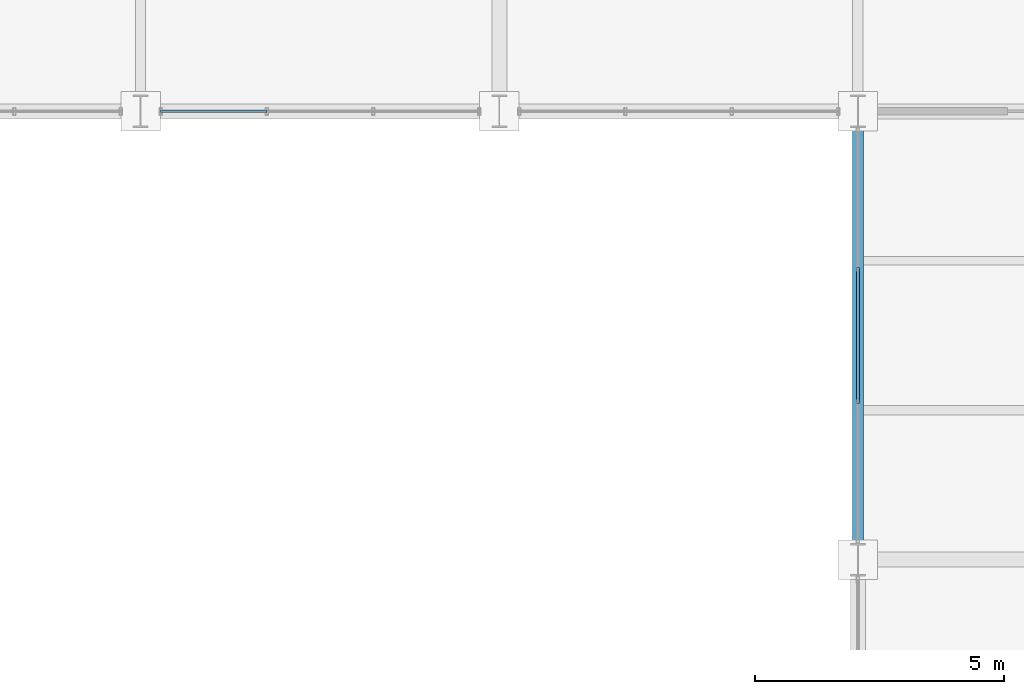
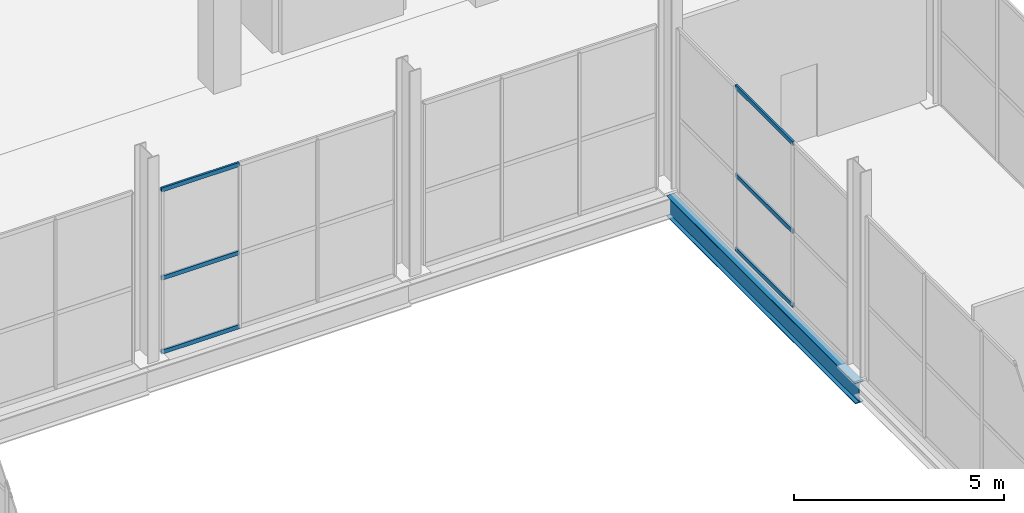
# One storey, part 93 of 144: 6 members, 1 beam, 2 elements without a shape of their own.
"""IFC4 building model written with IfcOpenShell, lengths in metres."""

from ifc_helpers import new_model, si_unit, direction, frame, origin, origin_2d, place, context, subcontext, project, spatial, hollow_rectangle, i_section, extrude, material, layer, layer_set, material_profile, profile_set, type_object, element, aggregate, save


model = new_model("IFC4")

# Units and contexts
model_context = context("Model", 3, precision=1e-05, world=origin(), true_north=direction((0.0, 1.0)))
body_context = subcontext(model_context, "Body", "Model", "MODEL_VIEW")
ifc_project = project(units=[si_unit("LENGTHUNIT", "METRE"), si_unit("AREAUNIT", "SQUARE_METRE"), si_unit("VOLUMEUNIT", "CUBIC_METRE"), si_unit("PLANEANGLEUNIT", "RADIAN"), si_unit("MASSUNIT", "GRAM", prefix="KILO")], contexts=[model_context])

# Site, building, storey
site_placement = place(None, origin())
site = spatial("IfcSite", under=ifc_project, at=site_placement, CompositionType="ELEMENT")
building_placement = place(site_placement, origin())
building = spatial("IfcBuilding", under=site, at=building_placement, Name="Sundgate Opera House", CompositionType="ELEMENT")
storey_placement = place(building_placement, origin())
storey = spatial("IfcBuildingStorey", under=building, at=storey_placement, Name="L00", CompositionType="ELEMENT", Elevation=0.0)

# Beam
ifc_material_1 = material(Name="Steel S355J2", Category="steel")
ifc_material_profile_1 = material_profile(ifc_material_1, i_section(OverallWidth=0.219970703125, OverallDepth=0.60009765625, WebThickness=0.011962890625, FlangeThickness=0.01904296875, at=origin_2d()), Name="IPE 600")
ifc_profile_set_1 = profile_set([ifc_material_profile_1], Name="Steel S355J2")
beam_type = type_object("IfcBeamType", Name="BM-GR-IPE600", PredefinedType="BEAM", material=ifc_profile_set_1)
beam_placement = place(storey_placement, frame((138.60009765625, 51.0, -0.6201171875), z_axis=(0.0, 1.0, 0.0), x_axis=(-1.0, 0.0, 0.0)))
element("IfcBeam", 1, at=beam_placement, inside=storey, type_object=beam_type, Name="L00 Primary N-S Girder B0271", PredefinedType="BEAM", context=body_context, shape_type="SweptSolid", body=[
    extrude(i_section(OverallWidth=0.219970703125, OverallDepth=0.60009765625, WebThickness=0.011962890625, FlangeThickness=0.01904296875, at=origin_2d()), origin(), (0.0, 0.0, 1.0), 9.0),
])

# Curtain wall, members
ifc_material_2 = material(Name="Anodized aluminium and low-iron glass", Category="aluminium")
ifc_layer = layer(ifc_material_2, 0.159912109375)
ifc_layer_set = layer_set([ifc_layer], Name="Anodized aluminium and low-iron glass")
curtain_wall_type = type_object("IfcCurtainWallType", Name="CW-STUDIO-DARK", PredefinedType="NOTDEFINED", material=ifc_layer_set)
curtain_wall_1_placement = place(storey_placement, origin())
curtain_wall_1 = element("IfcCurtainWall", 2, at=curtain_wall_1_placement, inside=storey, type_object=curtain_wall_type, Name="L00 Curtain Wall CW037", PredefinedType="NOTDEFINED")
ifc_material_3 = material(Name="Anodized aluminium EN AW-6063", Category="aluminium")
ifc_material_profile_2 = material_profile(ifc_material_3, hollow_rectangle(XDim=0.054931640625, YDim=0.1201171875, WallThickness=0.00390625, at=origin_2d()), Name="CWT 120x55x4")
ifc_profile_set_2 = profile_set([ifc_material_profile_2], Name="Anodized aluminium EN AW-6063")
member_type = type_object("IfcMemberType", Name="CWT-ALU-120x55", PredefinedType="USERDEFINED", material=ifc_profile_set_2)
member_1_placement = place(storey_placement, frame((126.7333984375, 60.0, 0.0), z_axis=(-1.0, 0.0, 0.0), x_axis=(0.0, -1.0, 0.0)))
member_1 = element("IfcMember", 3, at=member_1_placement, type_object=member_type, Name="CW037 Transom 7", ObjectType="TRANSOM", PredefinedType="USERDEFINED", context=body_context, shape_type="SweptSolid", body=[
    extrude(hollow_rectangle(XDim=0.054931640625, YDim=0.1201171875, WallThickness=0.00390625, at=origin_2d()), origin(), (0.0, 0.0, 1.0), 2.13330078125),
])
member_2_placement = place(storey_placement, frame((126.7333984375, 60.0, 2.14990234375), z_axis=(-1.0, 0.0, 0.0), x_axis=(0.0, -1.0, 0.0)))
member_2 = element("IfcMember", 4, at=member_2_placement, type_object=member_type, Name="CW037 Transom 8", ObjectType="TRANSOM", PredefinedType="USERDEFINED", context=body_context, shape_type="SweptSolid", body=[
    extrude(hollow_rectangle(XDim=0.054931640625, YDim=0.1201171875, WallThickness=0.00390625, at=origin_2d()), origin(), (0.0, 0.0, 1.0), 2.13330078125),
])
member_3_placement = place(storey_placement, frame((126.7333984375, 60.0, 4.715087890625), z_axis=(-1.0, 0.0, 0.0), x_axis=(0.0, -1.0, 0.0)))
member_3 = element("IfcMember", 5, at=member_3_placement, type_object=member_type, Name="CW037 Transom 9", ObjectType="TRANSOM", PredefinedType="USERDEFINED", context=body_context, shape_type="SweptSolid", body=[
    extrude(hollow_rectangle(XDim=0.054931640625, YDim=0.1201171875, WallThickness=0.00390625, at=origin_2d()), origin(), (0.0, 0.0, 1.0), 2.13330078125),
])
aggregate(curtain_wall_1, [member_1, member_2, member_3])

curtain_wall_2_placement = place(storey_placement, origin())
curtain_wall_2 = element("IfcCurtainWall", 6, at=curtain_wall_2_placement, inside=storey, type_object=curtain_wall_type, Name="L00 Curtain Wall CW043", PredefinedType="NOTDEFINED")
member_4_placement = place(storey_placement, frame((138.60009765625, 56.86669921875, 0.0), z_axis=(0.0, -1.0, 0.0), x_axis=(1.0, 0.0, 0.0)))
member_4 = element("IfcMember", 7, at=member_4_placement, type_object=member_type, Name="CW043 Transom 4", ObjectType="TRANSOM", PredefinedType="USERDEFINED", context=body_context, shape_type="SweptSolid", body=[
    extrude(hollow_rectangle(XDim=0.054931640625, YDim=0.1201171875, WallThickness=0.00390625, at=origin_2d()), origin(), (0.0, 0.0, 1.0), 2.7333984375),
])
member_5_placement = place(storey_placement, frame((138.60009765625, 56.86669921875, 2.14990234375), z_axis=(0.0, -1.0, 0.0), x_axis=(1.0, 0.0, 0.0)))
member_5 = element("IfcMember", 8, at=member_5_placement, type_object=member_type, Name="CW043 Transom 5", ObjectType="TRANSOM", PredefinedType="USERDEFINED", context=body_context, shape_type="SweptSolid", body=[
    extrude(hollow_rectangle(XDim=0.054931640625, YDim=0.1201171875, WallThickness=0.00390625, at=origin_2d()), origin(), (0.0, 0.0, 1.0), 2.7333984375),
])
member_6_placement = place(storey_placement, frame((138.60009765625, 56.86669921875, 4.715087890625), z_axis=(0.0, -1.0, 0.0), x_axis=(1.0, 0.0, 0.0)))
member_6 = element("IfcMember", 9, at=member_6_placement, type_object=member_type, Name="CW043 Transom 6", ObjectType="TRANSOM", PredefinedType="USERDEFINED", context=body_context, shape_type="SweptSolid", body=[
    extrude(hollow_rectangle(XDim=0.054931640625, YDim=0.1201171875, WallThickness=0.00390625, at=origin_2d()), origin(), (0.0, 0.0, 1.0), 2.7333984375),
])
aggregate(curtain_wall_2, [member_4, member_5, member_6])

save(model, "model.ifc")
